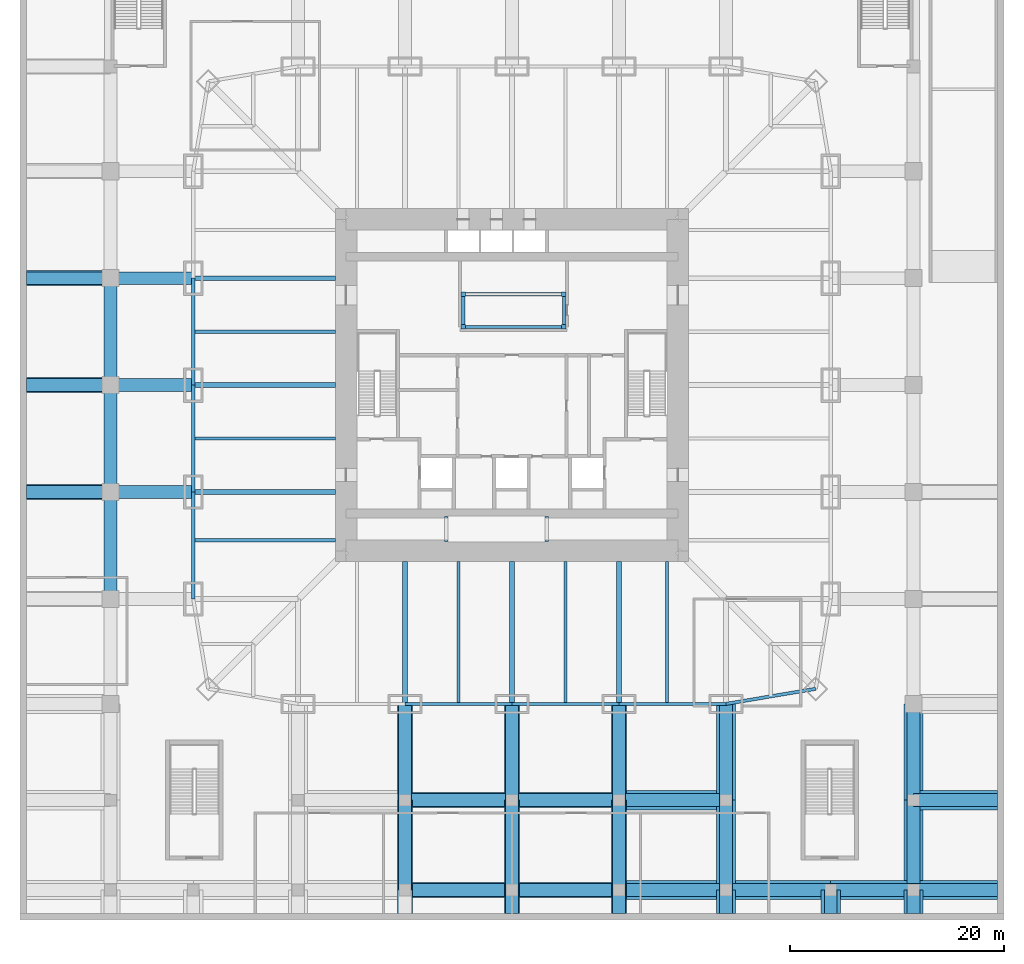
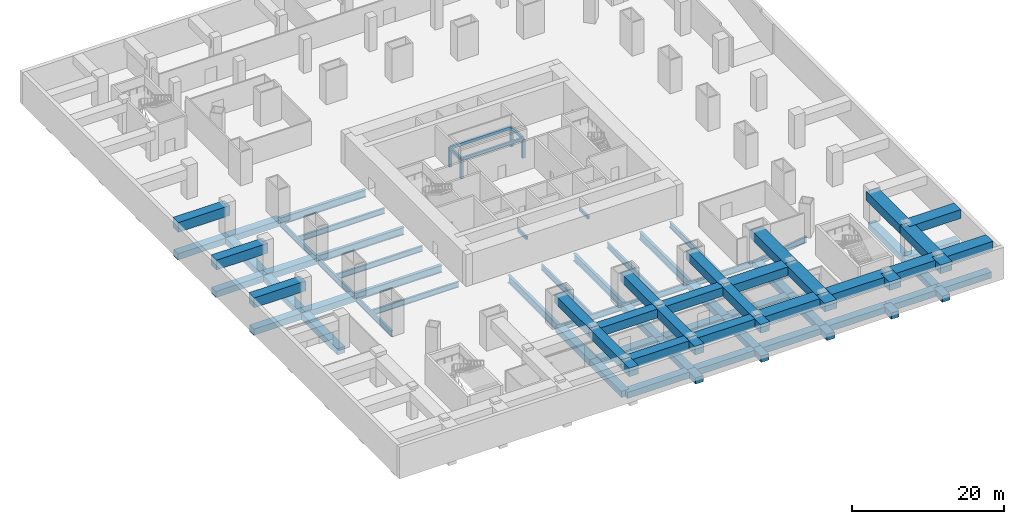
# One storey, part 2 of 12: 88 beams, 4 members.
"""IFC4 building model written with IfcOpenShell, lengths in metres."""

import ifcopenshell
import ifcopenshell.guid

model = None  # the IFC model being written
_history = None  # IfcOwnerHistory: only IFC2X3 demands one
_inside = {}  # id of a spatial element -> (the spatial element, [elements in it])
_under = {}  # id of a project, library or spatial element -> (it, [spatial elements below it])
_declared = {}  # id of a project -> (the project, [libraries it declares])
_typed = {}  # id of a type object -> (the type object, [elements of that type])
_made_of = {}  # id of a material, layer set ... -> (it, [elements and type objects made of it])


def new_model(schema):
    """Start an empty IFC model of exactly this schema.

    Asked for "IFC4X3", IfcOpenShell would pick the latest addendum, in which some entities
    have other attributes; the version numbers below select the first issue.
    IFC2X3 requires an IfcOwnerHistory on every rooted entity: one is made here for all.
    """
    global model, _history
    if schema == "IFC4X3":
        model = ifcopenshell.file(schema_version=(4, 3, 0, 0))
    else:
        model = ifcopenshell.file(schema=schema)
    _inside.clear()
    _under.clear()
    _declared.clear()
    _typed.clear()
    _made_of.clear()
    _history = None
    if model.schema == "IFC2X3":
        org = make("IfcOrganization", Name="unknown")
        user = make(
            "IfcPersonAndOrganization",
            ThePerson=make("IfcPerson", FamilyName="unknown"),
            TheOrganization=org,
        )
        app = make(
            "IfcApplication",
            ApplicationDeveloper=org,
            Version="unknown",
            ApplicationFullName="unknown",
            ApplicationIdentifier="unknown",
        )
        _history = make(
            "IfcOwnerHistory",
            OwningUser=user,
            OwningApplication=app,
            ChangeAction="ADDED",
            CreationDate=0,
        )
    return model


def make(cls, **values):
    """One entity of the class cls with the attributes given. An attribute that is None is left unset."""
    return model.create_entity(
        cls, **{name: value for name, value in values.items() if value is not None}
    )


def rooted(cls, **values):
    """An entity with a GlobalId (a new one), such as an element, a storey or a relation."""
    return make(cls, GlobalId=ifcopenshell.guid.new(), OwnerHistory=_history, **values)


def si_unit(unit_type, name, prefix=None):
    """IfcSIUnit, for example si_unit("LENGTHUNIT", "METRE", prefix="MILLI")."""
    return make("IfcSIUnit", UnitType=unit_type, Prefix=prefix, Name=name)


def assignment(units):
    """IfcUnitAssignment: the units of a project."""
    return None if units is None else make("IfcUnitAssignment", Units=units)


def point(xyz):
    """IfcCartesianPoint."""
    return None if xyz is None else make("IfcCartesianPoint", Coordinates=xyz)


def direction(xyz):
    """IfcDirection."""
    return None if xyz is None else make("IfcDirection", DirectionRatios=xyz)


def frame(location, z_axis=None, x_axis=None):
    """IfcAxis2Placement3D, a coordinate frame: its origin and axes. An axis left out is left unset."""
    return make(
        "IfcAxis2Placement3D",
        Location=point(location),
        Axis=direction(z_axis),
        RefDirection=direction(x_axis),
    )


def frame_2d(location, x_axis=None):
    """IfcAxis2Placement2D, a coordinate frame in the plane: its origin and x axis."""
    return make(
        "IfcAxis2Placement2D", Location=point(location), RefDirection=direction(x_axis)
    )


def origin():
    """The frame at (0, 0, 0) with its axes left unset."""
    return frame((0.0, 0.0, 0.0))


def origin_2d():
    """The frame at (0, 0) in the plane with its x axis left unset."""
    return frame_2d((0.0, 0.0))


def place(relative_to, where):
    """IfcLocalPlacement: puts the frame where relative to a parent placement (None: the world)."""
    return make(
        "IfcLocalPlacement", PlacementRelTo=relative_to, RelativePlacement=where
    )


def context(
    kind, dimensions, precision=None, world=None, true_north=None, identifier=None
):
    """IfcGeometricRepresentationContext, for example the 3D "Model" context."""
    return make(
        "IfcGeometricRepresentationContext",
        ContextIdentifier=identifier,
        ContextType=kind,
        CoordinateSpaceDimension=dimensions,
        Precision=precision,
        WorldCoordinateSystem=world,
        TrueNorth=true_north,
    )


def subcontext(parent, identifier, kind, view, scale=None):
    """IfcGeometricRepresentationSubContext, for example "Body" below "Model"."""
    return make(
        "IfcGeometricRepresentationSubContext",
        ContextIdentifier=identifier,
        ContextType=kind,
        ParentContext=parent,
        TargetScale=scale,
        TargetView=view,
    )


def project(units=None, contexts=None):
    """IfcProject with its units and contexts."""
    return rooted(
        "IfcProject",
        Name="project",
        RepresentationContexts=contexts,
        UnitsInContext=assignment(units),
    )


def spatial(cls, under=None, at=None, **own):
    """A site, building, storey or space (cls), placed at a placement, below another one or the project."""
    s = rooted(cls, ObjectPlacement=at, **own)
    if under is not None:
        _under.setdefault(under.id(), (under, []))[1].append(s)
    return s


def profile(cls, at=None, kind="AREA", **sizes):
    """A parametric profile (cls). Its sizes go by their IFC names, for example OverallWidth=200.0."""
    return make(cls, ProfileType=kind, Position=at, **sizes)


def rectangle(**sizes):
    """IfcRectangleProfileDef."""
    return profile("IfcRectangleProfileDef", **sizes)


def i_section(**sizes):
    """IfcIShapeProfileDef."""
    return profile("IfcIShapeProfileDef", **sizes)


def extrude(swept, where, along, depth):
    """IfcExtrudedAreaSolid: the profile swept, set in the frame where, extruded along a direction by depth."""
    return make(
        "IfcExtrudedAreaSolid",
        SweptArea=swept,
        Position=where,
        ExtrudedDirection=direction(along),
        Depth=depth,
    )


def shape(context_of_items, identifier, shape_type, items):
    """IfcShapeRepresentation: the items that make up one representation, for example the "Body"."""
    return make(
        "IfcShapeRepresentation",
        ContextOfItems=context_of_items,
        RepresentationIdentifier=identifier,
        RepresentationType=shape_type,
        Items=items,
    )


def material(Name=None, Category=None):
    """IfcMaterial."""
    return make("IfcMaterial", Name=Name, Category=Category)


def material_profile(
    of_material, cross_section, Name=None, Category=None, Priority=None
):
    """IfcMaterialProfile: a cross section and its material."""
    return make(
        "IfcMaterialProfile",
        Name=Name,
        Material=of_material,
        Profile=cross_section,
        Priority=Priority,
        Category=Category,
    )


def profile_set(profiles, Name=None, composite=None):
    """IfcMaterialProfileSet."""
    return make(
        "IfcMaterialProfileSet",
        Name=Name,
        MaterialProfiles=profiles,
        CompositeProfile=composite,
    )


def made_of(thing, what):
    """Note that an element or type object is made of a material, layer set ...; save() writes the relation."""
    if what is not None:
        _made_of.setdefault(what.id(), (what, []))[1].append(thing)
    return thing


def type_object(cls, material=None, **own):
    """A type object (cls), such as IfcWallType, which elements share."""
    return made_of(rooted(cls, **own), material)


def element(
    cls,
    number,
    at=None,
    inside=None,
    cuts=None,
    type_object=None,
    material=None,
    context=None,
    identifier="Body",
    shape_type=None,
    held_by="IfcProductDefinitionShape",
    body=None,
    shapes=None,
    **own,
):
    """One element of the class cls, such as IfcWall. Its Tag is "e" and its number.

    at: its placement. inside: the storey or other place that contains it. cuts: it is an
    opening in that element (IfcRelVoidsElement). A single representation is given by context,
    identifier, shape_type and body (its items); several are given by shapes. held_by: the class
    of the entity that holds the representations. save() writes the other relations.
    """
    e = rooted(cls, Tag="e%d" % number, ObjectPlacement=at, **own)
    if body is not None:
        shapes = [shape(context, identifier, shape_type, body)]
    if shapes is not None:
        e.Representation = make(held_by, Representations=shapes)
    if inside is not None:
        _inside.setdefault(inside.id(), (inside, []))[1].append(e)
    if cuts is not None:
        rooted(
            "IfcRelVoidsElement", RelatingBuildingElement=cuts, RelatedOpeningElement=e
        )
    if type_object is not None:
        _typed.setdefault(type_object.id(), (type_object, []))[1].append(e)
    return made_of(e, material)


def aggregate(whole, parts):
    """IfcRelAggregates: a whole, such as a stair, and the parts it consists of."""
    return rooted("IfcRelAggregates", RelatingObject=whole, RelatedObjects=parts)


def save(model, path):
    """Write the relations noted so far, then the file.

    IfcRelAggregates (storeys below a building ...), IfcRelContainedInSpatialStructure (elements
    in a storey), IfcRelDefinesByType, IfcRelAssociatesMaterial and IfcRelDeclares: one each for
    every whole, place, type object, material and project.
    """
    for whole, parts in _under.values():
        aggregate(whole, parts)
    for where, things in _inside.values():
        rooted(
            "IfcRelContainedInSpatialStructure",
            RelatedElements=things,
            RelatingStructure=where,
        )
    for kind, things in _typed.values():
        rooted("IfcRelDefinesByType", RelatedObjects=things, RelatingType=kind)
    for what, things in _made_of.values():
        rooted("IfcRelAssociatesMaterial", RelatedObjects=things, RelatingMaterial=what)
    for by, libraries in _declared.values():
        rooted("IfcRelDeclares", RelatingContext=by, RelatedDefinitions=libraries)
    model.write(path)


model = new_model("IFC4")

# Units and contexts
model_context = context("Model", 3, precision=1e-05, world=origin(), true_north=direction((0.0, 1.0)))
body_context = subcontext(model_context, "Body", "Model", "MODEL_VIEW")
ifc_project = project(units=[si_unit("LENGTHUNIT", "METRE"), si_unit("AREAUNIT", "SQUARE_METRE"), si_unit("VOLUMEUNIT", "CUBIC_METRE"), si_unit("PLANEANGLEUNIT", "RADIAN"), si_unit("MASSUNIT", "GRAM", prefix="KILO")], contexts=[model_context])

# Site, building, storey
site_placement = place(None, origin())
site = spatial("IfcSite", under=ifc_project, at=site_placement, CompositionType="ELEMENT")
building_placement = place(site_placement, origin())
building = spatial("IfcBuilding", under=site, at=building_placement, Name="Khuree Lantern Residences", CompositionType="ELEMENT")
storey_placement = place(building_placement, frame((0.0, 0.0, -5.39990234375)))
storey = spatial("IfcBuildingStorey", under=building, at=storey_placement, Name="B1", CompositionType="ELEMENT", Elevation=-5.39990234375)

# Beams
ifc_material_1 = material(Name="Steel S355", Category="steel")
ifc_material_profile_1 = material_profile(ifc_material_1, i_section(OverallWidth=0.300048828125, OverallDepth=0.89990234375, WebThickness=0.0185546875, FlangeThickness=0.034912109375, FilletRadius=0.030029296875, at=origin_2d()), Name="HE 900 B")
ifc_profile_set_1 = profile_set([ifc_material_profile_1], Name="Steel S355")
beam_type_1 = type_object("IfcBeamType", Name="B-B1 SECONDARY BEAM HE 900 B", PredefinedType="BEAM", material=ifc_profile_set_1)
for number, where, z_axis, x_axis, name in (
    (1, (14.5, -29.800048828125, -0.75), (0.0, 1.0, 0.0), (-1.0, 0.0, 0.0), "Secondary beam S2"),
    (2, (5.0, -29.800048828125, -0.75), (0.0, 1.0, 0.0), (-1.0, 0.0, 0.0), "Secondary beam S3"),
    (3, (-5.0, -29.800048828125, -0.75), (0.0, 1.0, 0.0), (-1.0, 0.0, 0.0), "Secondary beam S4"),
    (4, (-29.800048828125, -14.5, -0.75), (1.0, 0.0, 0.0), (0.0, 1.0, 0.0), "Secondary beam W2"),
    (5, (-29.800048828125, -5.0, -0.75), (1.0, 0.0, 0.0), (0.0, 1.0, 0.0), "Secondary beam W3"),
    (6, (-29.800048828125, 5.0, -0.75), (1.0, 0.0, 0.0), (0.0, 1.0, 0.0), "Secondary beam W4"),
):
    element("IfcBeam", number, at=place(storey_placement, frame(where, z_axis=z_axis, x_axis=x_axis)), inside=storey, type_object=beam_type_1, Name=name, PredefinedType="BEAM", context=body_context, shape_type="SweptSolid", body=[
        extrude(i_section(OverallWidth=0.300048828125, OverallDepth=0.89990234375, WebThickness=0.0185546875, FlangeThickness=0.034912109375, FilletRadius=0.030029296875, at=origin_2d()), origin(), (0.0, 0.0, 1.0), 13.300048828125),
    ])
ifc_material_profile_2 = material_profile(ifc_material_1, i_section(OverallWidth=0.300048828125, OverallDepth=1.0, WebThickness=0.01904296875, FlangeThickness=0.035888671875, FilletRadius=0.030029296875, at=origin_2d()), Name="HE 1000 B")
ifc_profile_set_2 = profile_set([ifc_material_profile_2], Name="Steel S355")
beam_type_2 = type_object("IfcBeamType", Name="E-B1 SPANDREL BEAM HE 1000 B", PredefinedType="SPANDREL", material=ifc_profile_set_2)
beam_1_placement = place(storey_placement, frame((28.39404296875, -28.39404296875, -0.800048828125), z_axis=(-0.986260251158, -0.165199022349, 0.0), x_axis=(0.165199022349, -0.986260251158, 0.0)))
element("IfcBeam", 7, at=beam_1_placement, inside=storey, type_object=beam_type_2, Name="Spandrel beam S1", PredefinedType="SPANDREL", context=body_context, shape_type="SweptSolid", body=[
    extrude(i_section(OverallWidth=0.300048828125, OverallDepth=1.0, WebThickness=0.01904296875, FlangeThickness=0.035888671875, FilletRadius=0.030029296875, at=origin_2d()), origin(), (0.0, 0.0, 1.0), 8.510986328125),
])
for number, where, z_axis, x_axis, name in (
    (8, (20.0, -29.800048828125, -0.800048828125), (-1.0, 0.0, 0.0), (0.0, -1.0, 0.0), "Spandrel beam S2"),
    (9, (10.0, -29.800048828125, -0.800048828125), (-1.0, 0.0, 0.0), (0.0, -1.0, 0.0), "Spandrel beam S3"),
    (10, (0.0, -29.800048828125, -0.800048828125), (-1.0, 0.0, 0.0), (0.0, -1.0, 0.0), "Spandrel beam S4"),
    (11, (-29.800048828125, -20.0, -0.800048828125), (0.0, 1.0, 0.0), (-1.0, 0.0, 0.0), "Spandrel beam W2"),
    (12, (-29.800048828125, -10.0, -0.800048828125), (0.0, 1.0, 0.0), (-1.0, 0.0, 0.0), "Spandrel beam W3"),
    (13, (-29.800048828125, 0.0, -0.800048828125), (0.0, 1.0, 0.0), (-1.0, 0.0, 0.0), "Spandrel beam W4"),
):
    element("IfcBeam", number, at=place(storey_placement, frame(where, z_axis=z_axis, x_axis=x_axis)), inside=storey, type_object=beam_type_2, Name=name, PredefinedType="SPANDREL", context=body_context, shape_type="SweptSolid", body=[
        extrude(i_section(OverallWidth=0.300048828125, OverallDepth=1.0, WebThickness=0.01904296875, FlangeThickness=0.035888671875, FilletRadius=0.030029296875, at=origin_2d()), origin(), (0.0, 0.0, 1.0), 10.0),
    ])
ifc_material_profile_3 = material_profile(ifc_material_1, i_section(OverallWidth=0.449951171875, OverallDepth=1.199951171875, WebThickness=0.02490234375, FlangeThickness=0.044921875, at=origin_2d()), Name="WELDED I 1200X450X25X45")
ifc_profile_set_3 = profile_set([ifc_material_profile_3], Name="Steel S355")
beam_type_3 = type_object("IfcBeamType", Name="G-B1 GIRDER WELDED I 1200X450X25X45", PredefinedType="BEAM", material=ifc_profile_set_3)
for number, where, z_axis, x_axis, name in (
    (14, (10.0, -29.800048828125, -0.900146484375), (0.0, 1.0, 0.0), (-1.0, 0.0, 0.0), "Girder S2"),
    (15, (0.0, -29.800048828125, -0.900146484375), (0.0, 1.0, 0.0), (-1.0, 0.0, 0.0), "Girder S3"),
    (16, (-10.0, -29.800048828125, -0.900146484375), (0.0, 1.0, 0.0), (-1.0, 0.0, 0.0), "Girder S4"),
    (17, (-29.800048828125, -10.0, -0.900146484375), (1.0, 0.0, 0.0), (0.0, 1.0, 0.0), "Girder W2"),
    (18, (-29.800048828125, 0.0, -0.900146484375), (1.0, 0.0, 0.0), (0.0, 1.0, 0.0), "Girder W3"),
    (19, (-29.800048828125, 10.0, -0.900146484375), (1.0, 0.0, 0.0), (0.0, 1.0, 0.0), "Girder W4"),
):
    element("IfcBeam", number, at=place(storey_placement, frame(where, z_axis=z_axis, x_axis=x_axis)), inside=storey, type_object=beam_type_3, Name=name, PredefinedType="BEAM", context=body_context, shape_type="SweptSolid", body=[
        extrude(i_section(OverallWidth=0.449951171875, OverallDepth=1.199951171875, WebThickness=0.02490234375, FlangeThickness=0.044921875, at=origin_2d()), origin(), (0.0, 0.0, 1.0), 13.300048828125),
    ])
ifc_material_2 = material(Name="Concrete C40/50", Category="concrete")
ifc_material_profile_4 = material_profile(ifc_material_2, rectangle(XDim=0.300048828125, YDim=0.5, at=origin_2d()), Name="RC 300X500")
ifc_profile_set_4 = profile_set([ifc_material_profile_4], Name="Concrete C40/50")
beam_type_4 = type_object("IfcBeamType", Name="LIFT PIT BEAM PB1 RC 300X500", PredefinedType="BEAM", material=ifc_profile_set_4)
for number, where, z_axis, x_axis, name in (
    (20, (-4.550048828125, 5.449951171875, 3.0498046875), (1.0, 0.0, 0.0), (0.0, 1.0, 0.0), "Lift bank PH pit beam"),
    (21, (-4.550048828125, 8.5, 3.0498046875), (1.0, 0.0, 0.0), (0.0, 1.0, 0.0), "Lift bank PH pit beam"),
):
    element("IfcBeam", number, at=place(storey_placement, frame(where, z_axis=z_axis, x_axis=x_axis)), inside=storey, type_object=beam_type_4, Name=name, PredefinedType="BEAM", context=body_context, shape_type="SweptSolid", body=[
        extrude(rectangle(XDim=0.300048828125, YDim=0.5, at=origin_2d()), origin(), (0.0, 0.0, 1.0), 9.400146484375),
    ])
for number, where, z_axis, x_axis, name in (
    (22, (-4.550048828125, 5.60009765625, 3.0498046875), (0.0, 1.0, 0.0), (-1.0, 0.0, 0.0), "Lift bank PH pit beam"),
    (23, (4.85009765625, 5.60009765625, 3.0498046875), (0.0, 1.0, 0.0), (-1.0, 0.0, 0.0), "Lift bank PH pit beam"),
):
    element("IfcBeam", number, at=place(storey_placement, frame(where, z_axis=z_axis, x_axis=x_axis)), inside=storey, type_object=beam_type_4, Name=name, PredefinedType="BEAM", context=body_context, shape_type="SweptSolid", body=[
        extrude(rectangle(XDim=0.300048828125, YDim=0.5, at=origin_2d()), origin(), (0.0, 0.0, 1.0), 2.75),
    ])
for number, where, z_axis, x_axis, name in (
    (24, (-6.14990234375, -14.60009765625, 3.0498046875), (0.0, 1.0, 0.0), (-1.0, 0.0, 0.0), "Lift bank PM pit beam"),
    (25, (3.25, -14.60009765625, 3.0498046875), (0.0, 1.0, 0.0), (-1.0, 0.0, 0.0), "Lift bank PM pit beam"),
):
    element("IfcBeam", number, at=place(storey_placement, frame(where, z_axis=z_axis, x_axis=x_axis)), inside=storey, type_object=beam_type_4, Name=name, PredefinedType="BEAM", context=body_context, shape_type="SweptSolid", body=[
        extrude(rectangle(XDim=0.300048828125, YDim=0.5, at=origin_2d()), origin(), (0.0, 0.0, 1.0), 2.300048828125),
    ])

# Members
ifc_material_profile_5 = material_profile(ifc_material_2, rectangle(XDim=0.39990234375, YDim=0.39990234375, at=origin_2d()), Name="RC 400X400")
ifc_profile_set_5 = profile_set([ifc_material_profile_5], Name="Concrete C40/50")
member_type = type_object("IfcMemberType", Name="LIFT PIT POST PP1 RC 400X400", PredefinedType="POST", material=ifc_profile_set_5)
for number, where, z_axis, x_axis, name in (
    (26, (-4.550048828125, 5.449951171875, 0.0), (0.0, 0.0, 1.0), (1.0, 0.0, 0.0), "Lift bank PH pit post"),
    (27, (4.85009765625, 5.449951171875, 0.0), (0.0, 0.0, 1.0), (1.0, 0.0, 0.0), "Lift bank PH pit post"),
    (28, (-4.550048828125, 8.5, 0.0), (0.0, 0.0, 1.0), (1.0, 0.0, 0.0), "Lift bank PH pit post"),
    (29, (4.85009765625, 8.5, 0.0), (0.0, 0.0, 1.0), (1.0, 0.0, 0.0), "Lift bank PH pit post"),
):
    element("IfcMember", number, at=place(storey_placement, frame(where, z_axis=z_axis, x_axis=x_axis)), inside=storey, type_object=member_type, Name=name, PredefinedType="POST", context=body_context, shape_type="SweptSolid", body=[
        extrude(rectangle(XDim=0.39990234375, YDim=0.39990234375, at=origin_2d()), origin(), (0.0, 0.0, 1.0), 3.0498046875),
    ])

# Beams
ifc_material_profile_6 = material_profile(ifc_material_2, rectangle(XDim=1.199951171875, YDim=1.0, at=origin_2d()), Name="RC 1200X1000")
ifc_profile_set_6 = profile_set([ifc_material_profile_6], Name="Concrete C40/50")
beam_type_5 = type_object("IfcBeamType", Name="RB1 BASEMENT BEAM RC 1200X1000", PredefinedType="BEAM", material=ifc_profile_set_6)
for number, where, z_axis, x_axis, name in (
    (30, (-10.0, -47.199951171875, -0.800048828125), (1.0, 0.0, 0.0), (0.0, 1.0, 0.0), "Basement beam RB-5"),
    (31, (0.0, -47.199951171875, -0.800048828125), (1.0, 0.0, 0.0), (0.0, 1.0, 0.0), "Basement beam RB-6"),
    (32, (10.0, -47.199951171875, -0.800048828125), (1.0, 0.0, 0.0), (0.0, 1.0, 0.0), "Basement beam RB-7"),
):
    element("IfcBeam", number, at=place(storey_placement, frame(where, z_axis=z_axis, x_axis=x_axis)), inside=storey, type_object=beam_type_5, Name=name, PredefinedType="BEAM", context=body_context, shape_type="SweptSolid", body=[
        extrude(rectangle(XDim=1.199951171875, YDim=1.0, at=origin_2d()), origin(), (0.0, 0.0, 1.0), 10.0),
    ])
beam_2_placement = place(storey_placement, frame((20.0, -47.199951171875, -0.800048828125), z_axis=(1.0, 0.0, 0.0), x_axis=(0.0, 1.0, 0.0)))
element("IfcBeam", 33, at=beam_2_placement, inside=storey, type_object=beam_type_5, Name="Basement beam RB-8", PredefinedType="BEAM", context=body_context, shape_type="SweptSolid", body=[
    extrude(rectangle(XDim=1.199951171875, YDim=1.0, at=origin_2d()), origin(), (0.0, 0.0, 1.0), 9.800048828125),
])
beam_3_placement = place(storey_placement, frame((29.800048828125, -47.199951171875, -0.800048828125), z_axis=(1.0, 0.0, 0.0), x_axis=(0.0, 1.0, 0.0)))
element("IfcBeam", 34, at=beam_3_placement, inside=storey, type_object=beam_type_5, Name="Basement beam RB-9", PredefinedType="BEAM", context=body_context, shape_type="SweptSolid", body=[
    extrude(rectangle(XDim=1.199951171875, YDim=1.0, at=origin_2d()), origin(), (0.0, 0.0, 1.0), 7.75),
])
beam_4_placement = place(storey_placement, frame((37.550048828125, -47.199951171875, -0.800048828125), z_axis=(1.0, 0.0, 0.0), x_axis=(0.0, 1.0, 0.0)))
element("IfcBeam", 35, at=beam_4_placement, inside=storey, type_object=beam_type_5, Name="Basement beam RB-10", PredefinedType="BEAM", context=body_context, shape_type="SweptSolid", body=[
    extrude(rectangle(XDim=1.199951171875, YDim=1.0, at=origin_2d()), origin(), (0.0, 0.0, 1.0), 7.849853515625),
])
for number, where, z_axis, x_axis, name in (
    (36, (-10.0, -38.800048828125, -0.800048828125), (1.0, 0.0, 0.0), (0.0, 1.0, 0.0), "Basement beam RB-13"),
    (37, (0.0, -38.800048828125, -0.800048828125), (1.0, 0.0, 0.0), (0.0, 1.0, 0.0), "Basement beam RB-14"),
    (38, (10.0, -38.800048828125, -0.800048828125), (1.0, 0.0, 0.0), (0.0, 1.0, 0.0), "Basement beam RB-15"),
):
    element("IfcBeam", number, at=place(storey_placement, frame(where, z_axis=z_axis, x_axis=x_axis)), inside=storey, type_object=beam_type_5, Name=name, PredefinedType="BEAM", context=body_context, shape_type="SweptSolid", body=[
        extrude(rectangle(XDim=1.199951171875, YDim=1.0, at=origin_2d()), origin(), (0.0, 0.0, 1.0), 10.0),
    ])
for number, where, z_axis, x_axis, name in (
    (39, (37.550048828125, -38.800048828125, -0.800048828125), (1.0, 0.0, 0.0), (0.0, 1.0, 0.0), "Basement beam RB-16"),
    (40, (-45.39990234375, -10.0, -0.800048828125), (1.0, 0.0, 0.0), (0.0, 1.0, 0.0), "Basement beam RB-23"),
):
    element("IfcBeam", number, at=place(storey_placement, frame(where, z_axis=z_axis, x_axis=x_axis)), inside=storey, type_object=beam_type_5, Name=name, PredefinedType="BEAM", context=body_context, shape_type="SweptSolid", body=[
        extrude(rectangle(XDim=1.199951171875, YDim=1.0, at=origin_2d()), origin(), (0.0, 0.0, 1.0), 7.849853515625),
    ])
beam_5_placement = place(storey_placement, frame((-37.550048828125, -10.0, -0.800048828125), z_axis=(1.0, 0.0, 0.0), x_axis=(0.0, 1.0, 0.0)))
element("IfcBeam", 41, at=beam_5_placement, inside=storey, type_object=beam_type_5, Name="Basement beam RB-24", PredefinedType="BEAM", context=body_context, shape_type="SweptSolid", body=[
    extrude(rectangle(XDim=1.199951171875, YDim=1.0, at=origin_2d()), origin(), (0.0, 0.0, 1.0), 7.75),
])
beam_6_placement = place(storey_placement, frame((-45.39990234375, 0.0, -0.800048828125), z_axis=(1.0, 0.0, 0.0), x_axis=(0.0, 1.0, 0.0)))
element("IfcBeam", 42, at=beam_6_placement, inside=storey, type_object=beam_type_5, Name="Basement beam RB-27", PredefinedType="BEAM", context=body_context, shape_type="SweptSolid", body=[
    extrude(rectangle(XDim=1.199951171875, YDim=1.0, at=origin_2d()), origin(), (0.0, 0.0, 1.0), 7.849853515625),
])
beam_7_placement = place(storey_placement, frame((-37.550048828125, 0.0, -0.800048828125), z_axis=(1.0, 0.0, 0.0), x_axis=(0.0, 1.0, 0.0)))
element("IfcBeam", 43, at=beam_7_placement, inside=storey, type_object=beam_type_5, Name="Basement beam RB-28", PredefinedType="BEAM", context=body_context, shape_type="SweptSolid", body=[
    extrude(rectangle(XDim=1.199951171875, YDim=1.0, at=origin_2d()), origin(), (0.0, 0.0, 1.0), 7.75),
])
beam_8_placement = place(storey_placement, frame((-45.39990234375, 10.0, -0.800048828125), z_axis=(1.0, 0.0, 0.0), x_axis=(0.0, 1.0, 0.0)))
element("IfcBeam", 44, at=beam_8_placement, inside=storey, type_object=beam_type_5, Name="Basement beam RB-30", PredefinedType="BEAM", context=body_context, shape_type="SweptSolid", body=[
    extrude(rectangle(XDim=1.199951171875, YDim=1.0, at=origin_2d()), origin(), (0.0, 0.0, 1.0), 7.849853515625),
])
beam_9_placement = place(storey_placement, frame((-37.550048828125, 10.0, -0.800048828125), z_axis=(1.0, 0.0, 0.0), x_axis=(0.0, 1.0, 0.0)))
element("IfcBeam", 45, at=beam_9_placement, inside=storey, type_object=beam_type_5, Name="Basement beam RB-31", PredefinedType="BEAM", context=body_context, shape_type="SweptSolid", body=[
    extrude(rectangle(XDim=1.199951171875, YDim=1.0, at=origin_2d()), origin(), (0.0, 0.0, 1.0), 7.75),
])
for number, where, z_axis, x_axis, name in (
    (46, (-37.550048828125, -20.0, -0.800048828125), (0.0, 1.0, 0.0), (-1.0, 0.0, 0.0), "Basement beam RB-57"),
    (47, (-37.550048828125, -10.0, -0.800048828125), (0.0, 1.0, 0.0), (-1.0, 0.0, 0.0), "Basement beam RB-58"),
    (48, (-37.550048828125, 0.0, -0.800048828125), (0.0, 1.0, 0.0), (-1.0, 0.0, 0.0), "Basement beam RB-59"),
):
    element("IfcBeam", number, at=place(storey_placement, frame(where, z_axis=z_axis, x_axis=x_axis)), inside=storey, type_object=beam_type_5, Name=name, PredefinedType="BEAM", context=body_context, shape_type="SweptSolid", body=[
        extrude(rectangle(XDim=1.199951171875, YDim=1.0, at=origin_2d()), origin(), (0.0, 0.0, 1.0), 10.0),
    ])
beam_10_placement = place(storey_placement, frame((-10.0, -47.199951171875, -0.800048828125), z_axis=(0.0, 1.0, 0.0), x_axis=(-1.0, 0.0, 0.0)))
element("IfcBeam", 49, at=beam_10_placement, inside=storey, type_object=beam_type_5, Name="Basement beam RB-75", PredefinedType="BEAM", context=body_context, shape_type="SweptSolid", body=[
    extrude(rectangle(XDim=1.199951171875, YDim=1.0, at=origin_2d()), origin(), (0.0, 0.0, 1.0), 8.39990234375),
])
beam_11_placement = place(storey_placement, frame((-10.0, -38.800048828125, -0.800048828125), z_axis=(0.0, 1.0, 0.0), x_axis=(-1.0, 0.0, 0.0)))
element("IfcBeam", 50, at=beam_11_placement, inside=storey, type_object=beam_type_5, Name="Basement beam RB-76", PredefinedType="BEAM", context=body_context, shape_type="SweptSolid", body=[
    extrude(rectangle(XDim=1.199951171875, YDim=1.0, at=origin_2d()), origin(), (0.0, 0.0, 1.0), 9.0),
])
beam_12_placement = place(storey_placement, frame((0.0, -49.39990234375, -0.800048828125), z_axis=(0.0, 1.0, 0.0), x_axis=(-1.0, 0.0, 0.0)))
element("IfcBeam", 51, at=beam_12_placement, inside=storey, type_object=beam_type_5, Name="Basement beam RB-80", PredefinedType="BEAM", context=body_context, shape_type="SweptSolid", body=[
    extrude(rectangle(XDim=1.199951171875, YDim=1.0, at=origin_2d()), origin(), (0.0, 0.0, 1.0), 2.199951171875),
])
beam_13_placement = place(storey_placement, frame((0.0, -47.199951171875, -0.800048828125), z_axis=(0.0, 1.0, 0.0), x_axis=(-1.0, 0.0, 0.0)))
element("IfcBeam", 52, at=beam_13_placement, inside=storey, type_object=beam_type_5, Name="Basement beam RB-81", PredefinedType="BEAM", context=body_context, shape_type="SweptSolid", body=[
    extrude(rectangle(XDim=1.199951171875, YDim=1.0, at=origin_2d()), origin(), (0.0, 0.0, 1.0), 8.39990234375),
])
beam_14_placement = place(storey_placement, frame((0.0, -38.800048828125, -0.800048828125), z_axis=(0.0, 1.0, 0.0), x_axis=(-1.0, 0.0, 0.0)))
element("IfcBeam", 53, at=beam_14_placement, inside=storey, type_object=beam_type_5, Name="Basement beam RB-82", PredefinedType="BEAM", context=body_context, shape_type="SweptSolid", body=[
    extrude(rectangle(XDim=1.199951171875, YDim=1.0, at=origin_2d()), origin(), (0.0, 0.0, 1.0), 9.0),
])
beam_15_placement = place(storey_placement, frame((10.0, -49.39990234375, -0.800048828125), z_axis=(0.0, 1.0, 0.0), x_axis=(-1.0, 0.0, 0.0)))
element("IfcBeam", 54, at=beam_15_placement, inside=storey, type_object=beam_type_5, Name="Basement beam RB-86", PredefinedType="BEAM", context=body_context, shape_type="SweptSolid", body=[
    extrude(rectangle(XDim=1.199951171875, YDim=1.0, at=origin_2d()), origin(), (0.0, 0.0, 1.0), 2.199951171875),
])
beam_16_placement = place(storey_placement, frame((10.0, -47.199951171875, -0.800048828125), z_axis=(0.0, 1.0, 0.0), x_axis=(-1.0, 0.0, 0.0)))
element("IfcBeam", 55, at=beam_16_placement, inside=storey, type_object=beam_type_5, Name="Basement beam RB-87", PredefinedType="BEAM", context=body_context, shape_type="SweptSolid", body=[
    extrude(rectangle(XDim=1.199951171875, YDim=1.0, at=origin_2d()), origin(), (0.0, 0.0, 1.0), 8.39990234375),
])
beam_17_placement = place(storey_placement, frame((10.0, -38.800048828125, -0.800048828125), z_axis=(0.0, 1.0, 0.0), x_axis=(-1.0, 0.0, 0.0)))
element("IfcBeam", 56, at=beam_17_placement, inside=storey, type_object=beam_type_5, Name="Basement beam RB-88", PredefinedType="BEAM", context=body_context, shape_type="SweptSolid", body=[
    extrude(rectangle(XDim=1.199951171875, YDim=1.0, at=origin_2d()), origin(), (0.0, 0.0, 1.0), 9.0),
])
beam_18_placement = place(storey_placement, frame((20.0, -49.39990234375, -0.800048828125), z_axis=(0.0, 1.0, 0.0), x_axis=(-1.0, 0.0, 0.0)))
element("IfcBeam", 57, at=beam_18_placement, inside=storey, type_object=beam_type_5, Name="Basement beam RB-92", PredefinedType="BEAM", context=body_context, shape_type="SweptSolid", body=[
    extrude(rectangle(XDim=1.199951171875, YDim=1.0, at=origin_2d()), origin(), (0.0, 0.0, 1.0), 2.199951171875),
])
beam_19_placement = place(storey_placement, frame((20.0, -47.199951171875, -0.800048828125), z_axis=(0.0, 1.0, 0.0), x_axis=(-1.0, 0.0, 0.0)))
element("IfcBeam", 58, at=beam_19_placement, inside=storey, type_object=beam_type_5, Name="Basement beam RB-93", PredefinedType="BEAM", context=body_context, shape_type="SweptSolid", body=[
    extrude(rectangle(XDim=1.199951171875, YDim=1.0, at=origin_2d()), origin(), (0.0, 0.0, 1.0), 8.39990234375),
])
beam_20_placement = place(storey_placement, frame((20.0, -38.800048828125, -0.800048828125), z_axis=(0.0, 1.0, 0.0), x_axis=(-1.0, 0.0, 0.0)))
element("IfcBeam", 59, at=beam_20_placement, inside=storey, type_object=beam_type_5, Name="Basement beam RB-94", PredefinedType="BEAM", context=body_context, shape_type="SweptSolid", body=[
    extrude(rectangle(XDim=1.199951171875, YDim=1.0, at=origin_2d()), origin(), (0.0, 0.0, 1.0), 9.0),
])
for number, where, z_axis, x_axis, name in (
    (60, (29.800048828125, -49.39990234375, -0.800048828125), (0.0, 1.0, 0.0), (-1.0, 0.0, 0.0), "Basement beam RB-98"),
    (61, (37.550048828125, -49.39990234375, -0.800048828125), (0.0, 1.0, 0.0), (-1.0, 0.0, 0.0), "Basement beam RB-101"),
):
    element("IfcBeam", number, at=place(storey_placement, frame(where, z_axis=z_axis, x_axis=x_axis)), inside=storey, type_object=beam_type_5, Name=name, PredefinedType="BEAM", context=body_context, shape_type="SweptSolid", body=[
        extrude(rectangle(XDim=1.199951171875, YDim=1.0, at=origin_2d()), origin(), (0.0, 0.0, 1.0), 2.199951171875),
    ])
beam_21_placement = place(storey_placement, frame((37.550048828125, -47.199951171875, -0.800048828125), z_axis=(0.0, 1.0, 0.0), x_axis=(-1.0, 0.0, 0.0)))
element("IfcBeam", 62, at=beam_21_placement, inside=storey, type_object=beam_type_5, Name="Basement beam RB-102", PredefinedType="BEAM", context=body_context, shape_type="SweptSolid", body=[
    extrude(rectangle(XDim=1.199951171875, YDim=1.0, at=origin_2d()), origin(), (0.0, 0.0, 1.0), 8.39990234375),
])
beam_22_placement = place(storey_placement, frame((37.550048828125, -38.800048828125, -0.800048828125), z_axis=(0.0, 1.0, 0.0), x_axis=(-1.0, 0.0, 0.0)))
element("IfcBeam", 63, at=beam_22_placement, inside=storey, type_object=beam_type_5, Name="Basement beam RB-103", PredefinedType="BEAM", context=body_context, shape_type="SweptSolid", body=[
    extrude(rectangle(XDim=1.199951171875, YDim=1.0, at=origin_2d()), origin(), (0.0, 0.0, 1.0), 9.0),
])
ifc_material_profile_7 = material_profile(ifc_material_2, rectangle(XDim=1.39990234375, YDim=1.39990234375, at=origin_2d()), Name="RC 1400X1400")
ifc_profile_set_7 = profile_set([ifc_material_profile_7], Name="Concrete C40/50")
beam_type_6 = type_object("IfcBeamType", Name="RB2 PLAZA DECK BEAM RC 1400X1400", PredefinedType="BEAM", material=ifc_profile_set_7)
for number, where, z_axis, x_axis, name in (
    (64, (-10.0, -47.199951171875, 4.099853515625), (1.0, 0.0, 0.0), (0.0, 1.0, 0.0), "Plaza deck beam DB-5"),
    (65, (0.0, -47.199951171875, 4.099853515625), (1.0, 0.0, 0.0), (0.0, 1.0, 0.0), "Plaza deck beam DB-6"),
    (66, (-10.0, -38.800048828125, 4.099853515625), (1.0, 0.0, 0.0), (0.0, 1.0, 0.0), "Plaza deck beam DB-13"),
    (67, (0.0, -38.800048828125, 4.099853515625), (1.0, 0.0, 0.0), (0.0, 1.0, 0.0), "Plaza deck beam DB-14"),
):
    element("IfcBeam", number, at=place(storey_placement, frame(where, z_axis=z_axis, x_axis=x_axis)), inside=storey, type_object=beam_type_6, Name=name, PredefinedType="BEAM", context=body_context, shape_type="SweptSolid", body=[
        extrude(rectangle(XDim=1.39990234375, YDim=1.39990234375, at=origin_2d()), origin(), (0.0, 0.0, 1.0), 10.0),
    ])
beam_23_placement = place(storey_placement, frame((-10.0, -49.39990234375, 4.099853515625), z_axis=(0.0, 1.0, 0.0), x_axis=(-1.0, 0.0, 0.0)))
element("IfcBeam", 68, at=beam_23_placement, inside=storey, type_object=beam_type_6, Name="Plaza deck beam DB-74", PredefinedType="BEAM", context=body_context, shape_type="SweptSolid", body=[
    extrude(rectangle(XDim=1.39990234375, YDim=1.39990234375, at=origin_2d()), origin(), (0.0, 0.0, 1.0), 2.199951171875),
])
beam_24_placement = place(storey_placement, frame((-10.0, -47.199951171875, 4.099853515625), z_axis=(0.0, 1.0, 0.0), x_axis=(-1.0, 0.0, 0.0)))
element("IfcBeam", 69, at=beam_24_placement, inside=storey, type_object=beam_type_6, Name="Plaza deck beam DB-75", PredefinedType="BEAM", context=body_context, shape_type="SweptSolid", body=[
    extrude(rectangle(XDim=1.39990234375, YDim=1.39990234375, at=origin_2d()), origin(), (0.0, 0.0, 1.0), 8.39990234375),
])
beam_25_placement = place(storey_placement, frame((-10.0, -38.800048828125, 4.099853515625), z_axis=(0.0, 1.0, 0.0), x_axis=(-1.0, 0.0, 0.0)))
element("IfcBeam", 70, at=beam_25_placement, inside=storey, type_object=beam_type_6, Name="Plaza deck beam DB-76", PredefinedType="BEAM", context=body_context, shape_type="SweptSolid", body=[
    extrude(rectangle(XDim=1.39990234375, YDim=1.39990234375, at=origin_2d()), origin(), (0.0, 0.0, 1.0), 9.0),
])
beam_26_placement = place(storey_placement, frame((0.0, -49.39990234375, 4.099853515625), z_axis=(0.0, 1.0, 0.0), x_axis=(-1.0, 0.0, 0.0)))
element("IfcBeam", 71, at=beam_26_placement, inside=storey, type_object=beam_type_6, Name="Plaza deck beam DB-80", PredefinedType="BEAM", context=body_context, shape_type="SweptSolid", body=[
    extrude(rectangle(XDim=1.39990234375, YDim=1.39990234375, at=origin_2d()), origin(), (0.0, 0.0, 1.0), 2.199951171875),
])
beam_27_placement = place(storey_placement, frame((0.0, -47.199951171875, 4.099853515625), z_axis=(0.0, 1.0, 0.0), x_axis=(-1.0, 0.0, 0.0)))
element("IfcBeam", 72, at=beam_27_placement, inside=storey, type_object=beam_type_6, Name="Plaza deck beam DB-81", PredefinedType="BEAM", context=body_context, shape_type="SweptSolid", body=[
    extrude(rectangle(XDim=1.39990234375, YDim=1.39990234375, at=origin_2d()), origin(), (0.0, 0.0, 1.0), 8.39990234375),
])
beam_28_placement = place(storey_placement, frame((0.0, -38.800048828125, 4.099853515625), z_axis=(0.0, 1.0, 0.0), x_axis=(-1.0, 0.0, 0.0)))
element("IfcBeam", 73, at=beam_28_placement, inside=storey, type_object=beam_type_6, Name="Plaza deck beam DB-82", PredefinedType="BEAM", context=body_context, shape_type="SweptSolid", body=[
    extrude(rectangle(XDim=1.39990234375, YDim=1.39990234375, at=origin_2d()), origin(), (0.0, 0.0, 1.0), 9.0),
])
beam_29_placement = place(storey_placement, frame((10.0, -49.39990234375, 4.099853515625), z_axis=(0.0, 1.0, 0.0), x_axis=(-1.0, 0.0, 0.0)))
element("IfcBeam", 74, at=beam_29_placement, inside=storey, type_object=beam_type_6, Name="Plaza deck beam DB-86", PredefinedType="BEAM", context=body_context, shape_type="SweptSolid", body=[
    extrude(rectangle(XDim=1.39990234375, YDim=1.39990234375, at=origin_2d()), origin(), (0.0, 0.0, 1.0), 2.199951171875),
])
beam_30_placement = place(storey_placement, frame((10.0, -47.199951171875, 4.099853515625), z_axis=(0.0, 1.0, 0.0), x_axis=(-1.0, 0.0, 0.0)))
element("IfcBeam", 75, at=beam_30_placement, inside=storey, type_object=beam_type_6, Name="Plaza deck beam DB-87", PredefinedType="BEAM", context=body_context, shape_type="SweptSolid", body=[
    extrude(rectangle(XDim=1.39990234375, YDim=1.39990234375, at=origin_2d()), origin(), (0.0, 0.0, 1.0), 8.39990234375),
])
beam_31_placement = place(storey_placement, frame((10.0, -38.800048828125, 4.099853515625), z_axis=(0.0, 1.0, 0.0), x_axis=(-1.0, 0.0, 0.0)))
element("IfcBeam", 76, at=beam_31_placement, inside=storey, type_object=beam_type_6, Name="Plaza deck beam DB-88", PredefinedType="BEAM", context=body_context, shape_type="SweptSolid", body=[
    extrude(rectangle(XDim=1.39990234375, YDim=1.39990234375, at=origin_2d()), origin(), (0.0, 0.0, 1.0), 9.0),
])
ifc_material_profile_8 = material_profile(ifc_material_2, rectangle(XDim=1.39990234375, YDim=1.60009765625, at=origin_2d()), Name="RC 1400X1600")
ifc_profile_set_8 = profile_set([ifc_material_profile_8], Name="Concrete C40/50")
beam_type_7 = type_object("IfcBeamType", Name="RB2A PLAZA DECK BEAM RC 1400X1600", PredefinedType="BEAM", material=ifc_profile_set_8)
for number, where, z_axis, x_axis, name in (
    (77, (-45.39990234375, -10.0, 4.0), (1.0, 0.0, 0.0), (0.0, 1.0, 0.0), "Plaza deck beam DB-23"),
    (78, (-45.39990234375, 0.0, 4.0), (1.0, 0.0, 0.0), (0.0, 1.0, 0.0), "Plaza deck beam DB-27"),
    (79, (-45.39990234375, 10.0, 4.0), (1.0, 0.0, 0.0), (0.0, 1.0, 0.0), "Plaza deck beam DB-30"),
):
    element("IfcBeam", number, at=place(storey_placement, frame(where, z_axis=z_axis, x_axis=x_axis)), inside=storey, type_object=beam_type_7, Name=name, PredefinedType="BEAM", context=body_context, shape_type="SweptSolid", body=[
        extrude(rectangle(XDim=1.39990234375, YDim=1.60009765625, at=origin_2d()), origin(), (0.0, 0.0, 1.0), 7.849853515625),
    ])
ifc_material_profile_9 = material_profile(ifc_material_2, rectangle(XDim=1.800048828125, YDim=1.39990234375, at=origin_2d()), Name="RC 1800X1400")
ifc_profile_set_9 = profile_set([ifc_material_profile_9], Name="Concrete C40/50")
beam_type_8 = type_object("IfcBeamType", Name="RB5 PLAZA DECK BEAM AT STAIR RC 1800X1400", PredefinedType="BEAM", material=ifc_profile_set_9)
beam_32_placement = place(storey_placement, frame((10.0, -47.199951171875, 4.099853515625), z_axis=(1.0, 0.0, 0.0), x_axis=(0.0, 1.0, 0.0)))
element("IfcBeam", 80, at=beam_32_placement, inside=storey, type_object=beam_type_8, Name="Plaza deck beam at stair DB-7", PredefinedType="BEAM", context=body_context, shape_type="SweptSolid", body=[
    extrude(rectangle(XDim=1.800048828125, YDim=1.39990234375, at=origin_2d()), origin(), (0.0, 0.0, 1.0), 10.0),
])
beam_33_placement = place(storey_placement, frame((20.0, -47.199951171875, 4.099853515625), z_axis=(1.0, 0.0, 0.0), x_axis=(0.0, 1.0, 0.0)))
element("IfcBeam", 81, at=beam_33_placement, inside=storey, type_object=beam_type_8, Name="Plaza deck beam at stair DB-8", PredefinedType="BEAM", context=body_context, shape_type="SweptSolid", body=[
    extrude(rectangle(XDim=1.800048828125, YDim=1.39990234375, at=origin_2d()), origin(), (0.0, 0.0, 1.0), 9.800048828125),
])
beam_34_placement = place(storey_placement, frame((29.800048828125, -47.199951171875, 4.099853515625), z_axis=(1.0, 0.0, 0.0), x_axis=(0.0, 1.0, 0.0)))
element("IfcBeam", 82, at=beam_34_placement, inside=storey, type_object=beam_type_8, Name="Plaza deck beam at stair DB-9", PredefinedType="BEAM", context=body_context, shape_type="SweptSolid", body=[
    extrude(rectangle(XDim=1.800048828125, YDim=1.39990234375, at=origin_2d()), origin(), (0.0, 0.0, 1.0), 7.75),
])
beam_35_placement = place(storey_placement, frame((37.550048828125, -47.199951171875, 4.099853515625), z_axis=(1.0, 0.0, 0.0), x_axis=(0.0, 1.0, 0.0)))
element("IfcBeam", 83, at=beam_35_placement, inside=storey, type_object=beam_type_8, Name="Plaza deck beam at stair DB-10", PredefinedType="BEAM", context=body_context, shape_type="SweptSolid", body=[
    extrude(rectangle(XDim=1.800048828125, YDim=1.39990234375, at=origin_2d()), origin(), (0.0, 0.0, 1.0), 7.849853515625),
])
beam_36_placement = place(storey_placement, frame((10.0, -38.800048828125, 4.099853515625), z_axis=(1.0, 0.0, 0.0), x_axis=(0.0, 1.0, 0.0)))
element("IfcBeam", 84, at=beam_36_placement, inside=storey, type_object=beam_type_8, Name="Plaza deck beam at stair DB-15", PredefinedType="BEAM", context=body_context, shape_type="SweptSolid", body=[
    extrude(rectangle(XDim=1.800048828125, YDim=1.39990234375, at=origin_2d()), origin(), (0.0, 0.0, 1.0), 10.0),
])
beam_37_placement = place(storey_placement, frame((37.550048828125, -38.800048828125, 4.099853515625), z_axis=(1.0, 0.0, 0.0), x_axis=(0.0, 1.0, 0.0)))
element("IfcBeam", 85, at=beam_37_placement, inside=storey, type_object=beam_type_8, Name="Plaza deck beam at stair DB-16", PredefinedType="BEAM", context=body_context, shape_type="SweptSolid", body=[
    extrude(rectangle(XDim=1.800048828125, YDim=1.39990234375, at=origin_2d()), origin(), (0.0, 0.0, 1.0), 7.849853515625),
])
beam_38_placement = place(storey_placement, frame((20.0, -49.39990234375, 4.099853515625), z_axis=(0.0, 1.0, 0.0), x_axis=(-1.0, 0.0, 0.0)))
element("IfcBeam", 86, at=beam_38_placement, inside=storey, type_object=beam_type_8, Name="Plaza deck beam at stair DB-92", PredefinedType="BEAM", context=body_context, shape_type="SweptSolid", body=[
    extrude(rectangle(XDim=1.800048828125, YDim=1.39990234375, at=origin_2d()), origin(), (0.0, 0.0, 1.0), 2.199951171875),
])
beam_39_placement = place(storey_placement, frame((20.0, -47.199951171875, 4.099853515625), z_axis=(0.0, 1.0, 0.0), x_axis=(-1.0, 0.0, 0.0)))
element("IfcBeam", 87, at=beam_39_placement, inside=storey, type_object=beam_type_8, Name="Plaza deck beam at stair DB-93", PredefinedType="BEAM", context=body_context, shape_type="SweptSolid", body=[
    extrude(rectangle(XDim=1.800048828125, YDim=1.39990234375, at=origin_2d()), origin(), (0.0, 0.0, 1.0), 8.39990234375),
])
beam_40_placement = place(storey_placement, frame((20.0, -38.800048828125, 4.099853515625), z_axis=(0.0, 1.0, 0.0), x_axis=(-1.0, 0.0, 0.0)))
element("IfcBeam", 88, at=beam_40_placement, inside=storey, type_object=beam_type_8, Name="Plaza deck beam at stair DB-94", PredefinedType="BEAM", context=body_context, shape_type="SweptSolid", body=[
    extrude(rectangle(XDim=1.800048828125, YDim=1.39990234375, at=origin_2d()), origin(), (0.0, 0.0, 1.0), 9.0),
])
for number, where, z_axis, x_axis, name in (
    (89, (29.800048828125, -49.39990234375, 4.099853515625), (0.0, 1.0, 0.0), (-1.0, 0.0, 0.0), "Plaza deck beam at stair DB-98"),
    (90, (37.550048828125, -49.39990234375, 4.099853515625), (0.0, 1.0, 0.0), (-1.0, 0.0, 0.0), "Plaza deck beam at stair DB-101"),
):
    element("IfcBeam", number, at=place(storey_placement, frame(where, z_axis=z_axis, x_axis=x_axis)), inside=storey, type_object=beam_type_8, Name=name, PredefinedType="BEAM", context=body_context, shape_type="SweptSolid", body=[
        extrude(rectangle(XDim=1.800048828125, YDim=1.39990234375, at=origin_2d()), origin(), (0.0, 0.0, 1.0), 2.199951171875),
    ])
beam_41_placement = place(storey_placement, frame((37.550048828125, -47.199951171875, 4.099853515625), z_axis=(0.0, 1.0, 0.0), x_axis=(-1.0, 0.0, 0.0)))
element("IfcBeam", 91, at=beam_41_placement, inside=storey, type_object=beam_type_8, Name="Plaza deck beam at stair DB-102", PredefinedType="BEAM", context=body_context, shape_type="SweptSolid", body=[
    extrude(rectangle(XDim=1.800048828125, YDim=1.39990234375, at=origin_2d()), origin(), (0.0, 0.0, 1.0), 8.39990234375),
])
beam_42_placement = place(storey_placement, frame((37.550048828125, -38.800048828125, 4.099853515625), z_axis=(0.0, 1.0, 0.0), x_axis=(-1.0, 0.0, 0.0)))
element("IfcBeam", 92, at=beam_42_placement, inside=storey, type_object=beam_type_8, Name="Plaza deck beam at stair DB-103", PredefinedType="BEAM", context=body_context, shape_type="SweptSolid", body=[
    extrude(rectangle(XDim=1.800048828125, YDim=1.39990234375, at=origin_2d()), origin(), (0.0, 0.0, 1.0), 9.0),
])

save(model, "model.ifc")
